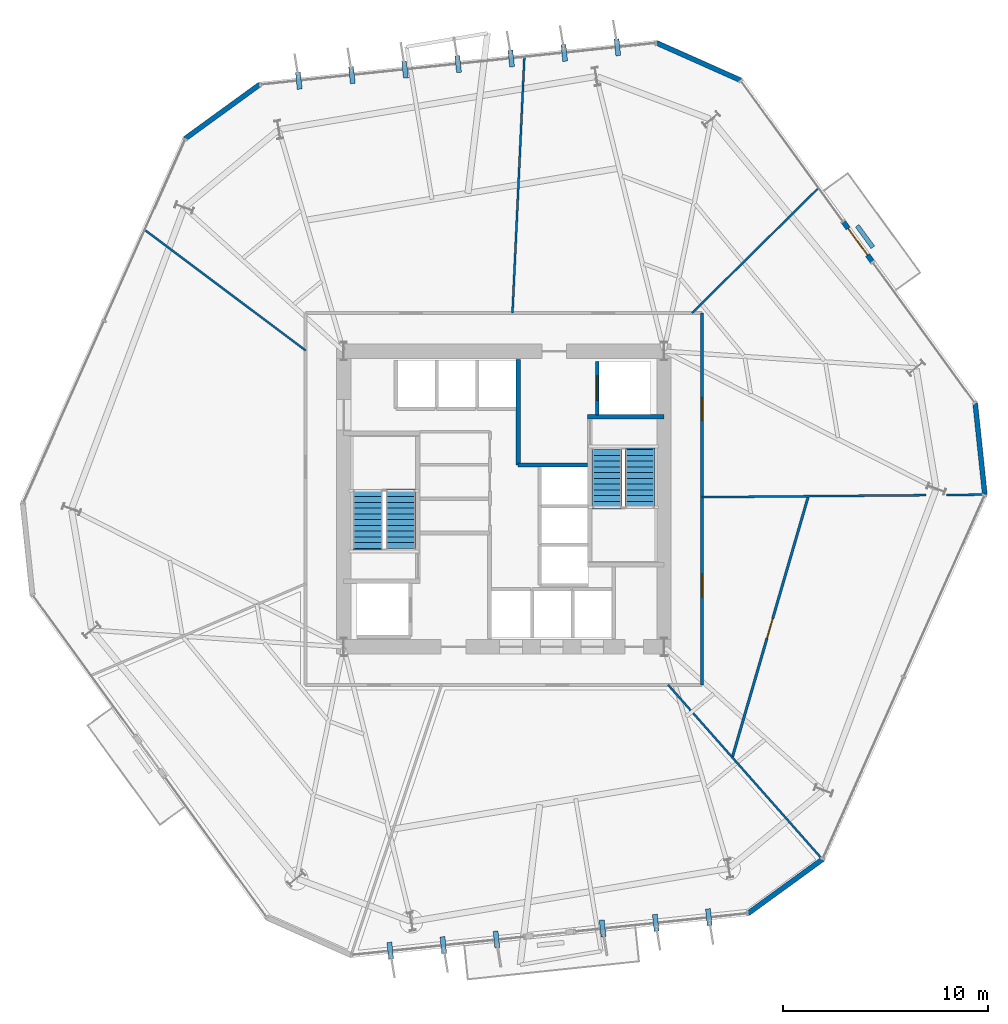
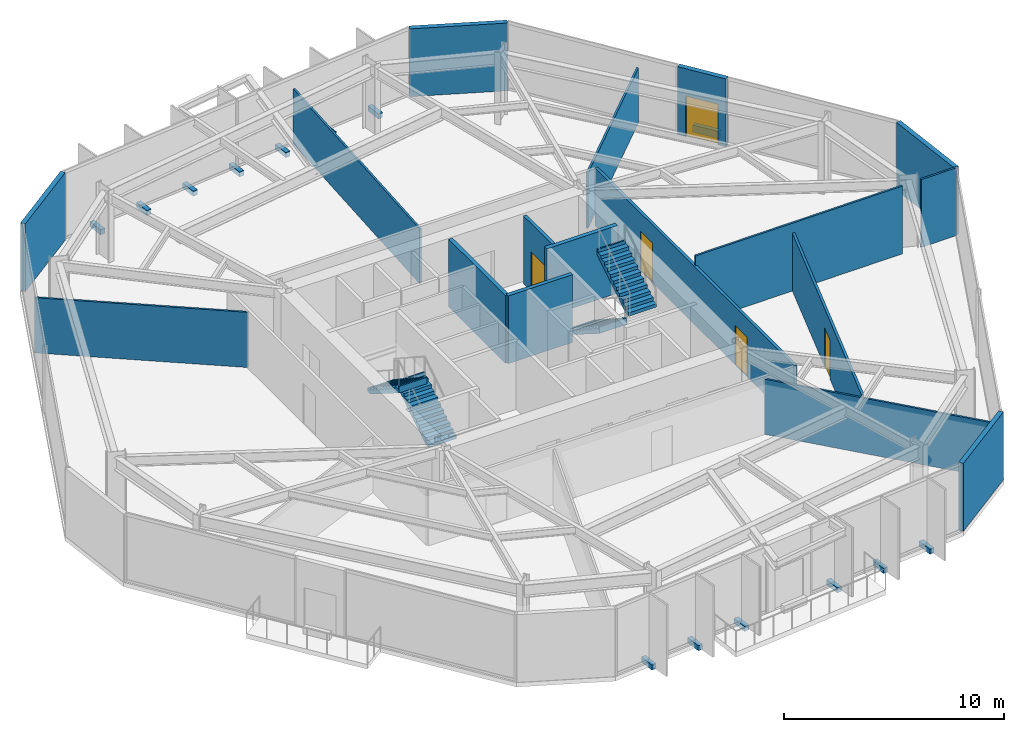
# One storey, part 8 of 11: 18 walls, 13 discrete accessories, 5 doors, 4 stair flights, 5 openings, 2 elements without a shape of their own.
"""IFC4 building model written with IfcOpenShell, lengths in metres."""

from ifc_helpers import new_model, si_unit, direction, frame, frame_2d, origin, origin_2d, place, context, subcontext, project, spatial, polyline, rectangle, outline, extrude, material, layer, layer_set, type_object, element, fill, aggregate, save


model = new_model("IFC4")

# Units and contexts
model_context = context("Model", 3, precision=1e-05, world=origin(), true_north=direction((0.0, 1.0)))
body_context = subcontext(model_context, "Body", "Model", "MODEL_VIEW")
ifc_project = project(units=[si_unit("LENGTHUNIT", "METRE"), si_unit("AREAUNIT", "SQUARE_METRE"), si_unit("VOLUMEUNIT", "CUBIC_METRE"), si_unit("PLANEANGLEUNIT", "RADIAN"), si_unit("MASSUNIT", "GRAM", prefix="KILO")], contexts=[model_context])

# Site, building, storey
site_placement = place(None, origin())
site = spatial("IfcSite", under=ifc_project, at=site_placement, CompositionType="ELEMENT")
building_placement = place(site_placement, origin())
building = spatial("IfcBuilding", under=site, at=building_placement, Name="Kranzbogen Civic Tower", CompositionType="ELEMENT")
storey_placement = place(building_placement, frame((0.0, 0.0, 44.0)))
storey = spatial("IfcBuildingStorey", under=building, at=storey_placement, Name="L10", CompositionType="ELEMENT", Elevation=44.0)

# Wall, openings, doors
ifc_material_1 = material(Name="Double-Stud Acoustic Gypsum Partition")
ifc_layer_1 = layer(ifc_material_1, 0.14990234375, Name="Double-Stud Acoustic Gypsum Partition")
ifc_layer_set_1 = layer_set([ifc_layer_1], Name="Double-Stud Acoustic Gypsum Partition")
wall_type_1 = type_object("IfcWallType", Name="Acoustic Corridor and Clinical Partition 150 mm", PredefinedType="PARTITIONING", material=ifc_layer_set_1)
wall_1_placement = place(storey_placement, frame((34.64990234375, 34.050048828125, 0.0), z_axis=(0.0, 0.0, 1.0), x_axis=(0.0, -1.0, 0.0)))
wall_1 = element("IfcWall", 1, at=wall_1_placement, inside=storey, type_object=wall_type_1, Name="L10 corridor partition 02", PredefinedType="PARTITIONING", context=body_context, shape_type="SweptSolid", body=[
    extrude(rectangle(XDim=18.10009765625, YDim=0.14990234375, at=frame_2d((9.050048828125, 0.0))), origin(), (0.0, 0.0, 1.0), 3.2099609375),
])
opening_1_placement = place(wall_1_placement, frame((12.7080078125, 0.0, 0.0)))
opening_1 = element("IfcOpeningElement", 2, at=opening_1_placement, cuts=wall_1, Name="Opening D-COR60", PredefinedType="OPENING", context=body_context, shape_type="SweptSolid", body=[
    extrude(rectangle(XDim=1.10009765625, YDim=2.199951171875, at=frame_2d((0.550048828125, 1.10009765625))), frame((0.0, 0.0849609375, 0.0), z_axis=(0.0, -1.0, 0.0), x_axis=(1.0, 0.0, 0.0)), (0.0, 0.0, 1.0), 0.169921875),
])
opening_2_placement = place(wall_1_placement, frame((4.114013671875, 0.0, 0.0)))
opening_2 = element("IfcOpeningElement", 3, at=opening_2_placement, cuts=wall_1, Name="Opening D-COR60", PredefinedType="OPENING", context=body_context, shape_type="SweptSolid", body=[
    extrude(rectangle(XDim=1.10009765625, YDim=2.199951171875, at=frame_2d((0.550048828125, 1.10009765625))), frame((0.0, 0.0849609375, 0.0), z_axis=(0.0, -1.0, 0.0), x_axis=(1.0, 0.0, 0.0)), (0.0, 0.0, 1.0), 0.169921875),
])
ifc_material_2 = material(Name="Oak Timber and Fire Core", Category="wood")
door_type_1 = type_object("IfcDoorType", Name="Corridor Acoustic Fire Door 1100x2200", OperationType="NOTDEFINED", PredefinedType="DOOR", material=ifc_material_2)
door_1_placement = place(opening_1_placement, origin())
door_1 = element("IfcDoor", 4, at=door_1_placement, inside=storey, type_object=door_type_1, Name="L10 Legal Counsel Office door", OperationType="SINGLE_SWING_RIGHT", OverallHeight=2.199951171875, OverallWidth=1.10009765625, PredefinedType="DOOR", context=body_context, shape_type="SweptSolid", body=[
    extrude(rectangle(XDim=1.10009765625, YDim=2.199951171875, at=frame_2d((0.550048828125, 1.10009765625))), frame((0.0, 0.02490234375, 0.0), z_axis=(0.0, -1.0, 0.0), x_axis=(1.0, 0.0, 0.0)), (0.0, 0.0, 1.0), 0.050048828125),
])
fill(opening_1, door_1)
door_2_placement = place(opening_2_placement, origin())
door_2 = element("IfcDoor", 5, at=door_2_placement, inside=storey, type_object=door_type_1, Name="L10 Executive Research Study door", OperationType="SINGLE_SWING_RIGHT", OverallHeight=2.199951171875, OverallWidth=1.10009765625, PredefinedType="DOOR", context=body_context, shape_type="SweptSolid", body=[
    extrude(rectangle(XDim=1.10009765625, YDim=2.199951171875, at=frame_2d((0.550048828125, 1.10009765625))), frame((0.0, 0.02490234375, 0.0), z_axis=(0.0, -1.0, 0.0), x_axis=(1.0, 0.0, 0.0)), (0.0, 0.0, 1.0), 0.050048828125),
])
fill(opening_2, door_2)

# Wall, opening, door
ifc_material_3 = material(Name="Insulated Metal-Stud Gypsum Partition")
ifc_layer_2 = layer(ifc_material_3, 0.125, Name="Insulated Metal-Stud Gypsum Partition")
ifc_layer_set_2 = layer_set([ifc_layer_2], Name="Insulated Metal-Stud Gypsum Partition")
wall_type_2 = type_object("IfcWallType", Name="Acoustic Inter-Room Partition 125 mm", PredefinedType="PARTITIONING", material=ifc_layer_set_2)
wall_2_placement = place(storey_placement, frame((36.131103515625, 12.431884765625, 0.0), z_axis=(0.0, 0.0, 1.0), x_axis=(0.279451559727, 0.960159791788, 0.0)))
wall_2 = element("IfcWall", 6, at=wall_2_placement, inside=storey, type_object=wall_type_2, Name="L10 suite chord partition 01", PredefinedType="PARTITIONING", context=body_context, shape_type="SweptSolid", body=[
    extrude(rectangle(XDim=13.214599609375, YDim=0.125, at=frame_2d((6.607421875, 0.0))), origin(), (0.0, 0.0, 1.0), 3.2099609375),
])
opening_3_placement = place(wall_2_placement, frame((6.01806640625, 0.0, 0.0)))
opening_3 = element("IfcOpeningElement", 7, at=opening_3_placement, cuts=wall_2, Name="Opening D-OFC10", PredefinedType="OPENING", context=body_context, shape_type="SweptSolid", body=[
    extrude(rectangle(XDim=1.0, YDim=2.14990234375, at=frame_2d((0.5, 1.074951171875))), frame((0.0, 0.072509765625, 0.0), z_axis=(0.0, -1.0, 0.0), x_axis=(1.0, 0.0, 0.0)), (0.0, 0.0, 1.0), 0.14501953125),
])
ifc_material_4 = material(Name="Oak Timber Veneer", Category="wood")
door_type_2 = type_object("IfcDoorType", Name="Standard Office Acoustic Door 1000x2150", OperationType="NOTDEFINED", PredefinedType="DOOR", material=ifc_material_4)
door_3_placement = place(opening_3_placement, origin())
door_3 = element("IfcDoor", 8, at=door_3_placement, inside=storey, type_object=door_type_2, Name="L10 Delegates Sitting Lounge door", OperationType="SINGLE_SWING_LEFT", OverallHeight=2.14990234375, OverallWidth=1.0, PredefinedType="DOOR", context=body_context, shape_type="SweptSolid", body=[
    extrude(rectangle(XDim=1.0, YDim=2.14990234375, at=frame_2d((0.5, 1.074951171875))), frame((0.0, 0.02490234375, 0.0), z_axis=(0.0, -1.0, 0.0), x_axis=(1.0, 0.0, 0.0)), (0.0, 0.0, 1.0), 0.050048828125),
])
fill(opening_3, door_3)

# Walls
ifc_material_5 = material(Name="Architectural Precast Terracotta Concrete C40/50", Category="masonry")
ifc_layer_3 = layer(ifc_material_5, 0.219970703125, Name="Architectural Precast Terracotta Concrete C40/50")
ifc_layer_set_3 = layer_set([ifc_layer_3], Name="Architectural Precast Terracotta Concrete C40/50")
wall_type_3 = type_object("IfcWallType", Name="Architectural Tree Planter Kerb Wall 220 mm", PredefinedType="USERDEFINED", material=ifc_layer_set_3)
wall_3_placement = place(storey_placement, frame((42.971923828125, 37.25390625, 0.0), z_axis=(0.0, 0.0, 1.0), x_axis=(-0.587579763197, 0.809166251076, 0.0)))
element("IfcWall", 9, at=wall_3_placement, inside=storey, type_object=wall_type_3, Name="L10 landscaped tree balcony planter L10-TB2", ObjectType="PLANTER_WALL", PredefinedType="USERDEFINED", context=body_context, shape_type="SweptSolid", body=[
    extrude(rectangle(XDim=1.300048828125, YDim=0.219970703125, at=frame_2d((0.64990234375, 0.0))), origin(), (0.0, 0.0, 1.0), 0.39990234375),
])
ifc_material_6 = material(Name="Concrete C45/55", Category="concrete")
ifc_layer_4 = layer(ifc_material_6, 0.219970703125, Name="Concrete C45/55")
ifc_layer_set_4 = layer_set([ifc_layer_4], Name="Concrete C45/55")
wall_type_4 = type_object("IfcWallType", Name="Core Internal Stair Structural Wall 220 mm", PredefinedType="SOLIDWALL", material=ifc_layer_set_4)
wall_4_placement = place(storey_placement, frame((29.080078125, 29.010009765625, 0.0), z_axis=(0.0, 0.0, 1.0), x_axis=(1.0, 0.0, 0.0)))
element("IfcWall", 10, at=wall_4_placement, inside=storey, type_object=wall_type_4, Name="L10 ST-T2 North structural stair wall", PredefinedType="SOLIDWALL", context=body_context, shape_type="SweptSolid", body=[
    extrude(rectangle(XDim=3.719970703125, YDim=0.219970703125, at=frame_2d((1.85986328125, 0.0))), origin(), (0.0, 0.0, 1.0), 3.760009765625),
])
ifc_material_7 = material(Name="Demountable Aluminium and Gypsum Partition", Category="aluminium")
ifc_layer_5 = layer(ifc_material_7, 0.10009765625, Name="Demountable Aluminium and Gypsum Partition")
ifc_layer_set_5 = layer_set([ifc_layer_5], Name="Demountable Aluminium and Gypsum Partition")
wall_type_5 = type_object("IfcWallType", Name="Demountable Office Partition 100 mm", PredefinedType="MOVABLE", material=ifc_layer_set_5)
wall_5_placement = place(storey_placement, frame((34.156982421875, 34.050048828125, 0.0), z_axis=(0.0, 0.0, 1.0), x_axis=(0.711265132762, 0.702923830096, 0.0)))
element("IfcWall", 11, at=wall_5_placement, inside=storey, type_object=wall_type_5, Name="L10 radial room partition 01", PredefinedType="MOVABLE", context=body_context, shape_type="SweptSolid", body=[
    extrude(rectangle(XDim=8.66357421875, YDim=0.10009765625, at=frame_2d((4.331787109375, 0.0))), origin(), (0.0, 0.0, 1.0), 3.06005859375),
])
wall_6_placement = place(storey_placement, frame((25.4208984375, 34.050048828125, 0.0), z_axis=(0.0, 0.0, 1.0), x_axis=(0.046408732595, 0.998922534303, 0.0)))
element("IfcWall", 12, at=wall_6_placement, inside=storey, type_object=wall_type_5, Name="L10 radial room partition 02", PredefinedType="MOVABLE", context=body_context, shape_type="SweptSolid", body=[
    extrude(rectangle(XDim=12.478271484375, YDim=0.10009765625, at=frame_2d((6.2392578125, 0.0))), origin(), (0.0, 0.0, 1.0), 3.050048828125),
])
wall_7_placement = place(storey_placement, frame((15.35009765625, 32.23193359375, 0.0), z_axis=(0.0, 0.0, 1.0), x_axis=(-0.800263515523, 0.599648485134, 0.0)))
element("IfcWall", 13, at=wall_7_placement, inside=storey, type_object=wall_type_5, Name="L10 radial room partition 03", PredefinedType="MOVABLE", context=body_context, shape_type="SweptSolid", body=[
    extrude(rectangle(XDim=9.78076171875, YDim=0.10009765625, at=frame_2d((4.890380859375, 0.0))), origin(), (0.0, 0.0, 1.0), 3.06005859375),
])
wall_8_placement = place(storey_placement, frame((33.0009765625, 15.949951171875, 0.0), z_axis=(0.0, 0.0, 1.0), x_axis=(0.662327291421, -0.749214628153, 0.0)))
element("IfcWall", 14, at=wall_8_placement, inside=storey, type_object=wall_type_5, Name="L10 radial room partition 06", PredefinedType="MOVABLE", context=body_context, shape_type="SweptSolid", body=[
    extrude(rectangle(XDim=11.32373046875, YDim=0.10009765625, at=frame_2d((5.661865234375, 0.0))), origin(), (0.0, 0.0, 1.0), 3.06005859375),
])
wall_9_placement = place(storey_placement, frame((34.64990234375, 25.087890625, 0.0), z_axis=(0.0, 0.0, 1.0), x_axis=(0.999958746777, 0.009083212171, 0.0)))
element("IfcWall", 15, at=wall_9_placement, inside=storey, type_object=wall_type_5, Name="L10 radial room partition 07 part 1", PredefinedType="MOVABLE", context=body_context, shape_type="SweptSolid", body=[
    extrude(rectangle(XDim=10.91259765625, YDim=0.10009765625, at=frame_2d((5.456298828125, 0.0))), origin(), (0.0, 0.0, 1.0), 3.760009765625),
])
wall_10_placement = place(storey_placement, frame((46.552001953125, 25.196044921875, 0.0), z_axis=(0.0, 0.0, 1.0), x_axis=(0.999958593011, 0.009100124363, 0.0)))
element("IfcWall", 16, at=wall_10_placement, inside=storey, type_object=wall_type_5, Name="L10 radial room partition 07 part 2", PredefinedType="MOVABLE", context=body_context, shape_type="SweptSolid", body=[
    extrude(rectangle(XDim=1.85107421875, YDim=0.10009765625, at=frame_2d((0.925537109375, 0.0))), origin(), (0.0, 0.0, 1.0), 3.760009765625),
])
ifc_material_8 = material(Name="Gypsum Fireboard and Concrete Block", Category="concrete")
ifc_layer_6 = layer(ifc_material_8, 0.199951171875, Name="Gypsum Fireboard and Concrete Block")
ifc_layer_set_6 = layer_set([ifc_layer_6], Name="Gypsum Fireboard and Concrete Block")
wall_type_6 = type_object("IfcWallType", Name="Fire-Rated Exit Passageway and Stair Wall 200 mm", PredefinedType="PARTITIONING", material=ifc_layer_set_6)
wall_11_placement = place(storey_placement, frame((25.699951171875, 26.64990234375, 0.0), z_axis=(0.0, 0.0, 1.0), x_axis=(0.0, 1.0, 0.0)))
element("IfcWall", 17, at=wall_11_placement, inside=storey, type_object=wall_type_6, Name="L10 East firefighting lobby West wall", PredefinedType="PARTITIONING", context=body_context, shape_type="SweptSolid", body=[
    extrude(rectangle(XDim=5.150146484375, YDim=0.199951171875, at=frame_2d((2.5751953125, 0.0))), origin(), (0.0, 0.0, 1.0), 3.760009765625),
])
wall_12_placement = place(storey_placement, frame((25.699951171875, 26.64990234375, 0.0), z_axis=(0.0, 0.0, 1.0), x_axis=(1.0, 0.0, 0.0)))
element("IfcWall", 18, at=wall_12_placement, inside=storey, type_object=wall_type_6, Name="L10 East firefighting lobby South wall", PredefinedType="PARTITIONING", context=body_context, shape_type="SweptSolid", body=[
    extrude(rectangle(XDim=3.380126953125, YDim=0.199951171875, at=frame_2d((1.68994140625, 0.0))), origin(), (0.0, 0.0, 1.0), 3.760009765625),
])

# Wall, opening, door
ifc_material_9 = material(Name="Gypsum Fireboard Shaftliner")
ifc_layer_7 = layer(ifc_material_9, 0.175048828125, Name="Gypsum Fireboard Shaftliner")
ifc_layer_set_7 = layer_set([ifc_layer_7], Name="Gypsum Fireboard Shaftliner")
wall_type_7 = type_object("IfcWallType", Name="Fire-Rated Lift and Service Shaft Wall 175 mm", PredefinedType="PARTITIONING", material=ifc_layer_set_7)
wall_13_placement = place(storey_placement, frame((29.550048828125, 29.10009765625, 0.0), z_axis=(0.0, 0.0, 1.0), x_axis=(0.0, 1.0, 0.0)))
wall_13 = element("IfcWall", 19, at=wall_13_placement, inside=storey, type_object=wall_type_7, Name="L10 lift FF-02 landing wall", PredefinedType="PARTITIONING", context=body_context, shape_type="SweptSolid", body=[
    extrude(rectangle(XDim=2.599853515625, YDim=0.175048828125, at=frame_2d((1.2998046875, 0.0))), origin(), (0.0, 0.0, 1.0), 3.760009765625),
])
opening_4_placement = place(wall_13_placement, frame((0.699951171875, 0.0, 0.0)))
opening_4 = element("IfcOpeningElement", 20, at=opening_4_placement, cuts=wall_13, Name="Opening LD-FF-02", PredefinedType="OPENING", context=body_context, shape_type="SweptSolid", body=[
    extrude(rectangle(XDim=1.199951171875, YDim=2.199951171875, at=frame_2d((0.60009765625, 1.10009765625))), frame((0.0, 0.09765625, 0.0), z_axis=(0.0, -1.0, 0.0), x_axis=(1.0, 0.0, 0.0)), (0.0, 0.0, 1.0), 0.195068359375),
])
ifc_material_10 = material(Name="Pale Anodised Aluminium", Category="aluminium")
door_type_3 = type_object("IfcDoorType", Name="Firefighting and Stretcher Lift Sliding Landing Door 1200x2200", OperationType="DOUBLE_DOOR_SLIDING", PredefinedType="DOOR", material=ifc_material_10)
door_4_placement = place(opening_4_placement, origin())
door_4 = element("IfcDoor", 21, at=door_4_placement, inside=storey, type_object=door_type_3, Name="L10 lift FF-02 sliding landing door", OperationType="DOUBLE_DOOR_SLIDING", OverallHeight=2.199951171875, OverallWidth=1.199951171875, PredefinedType="DOOR", context=body_context, shape_type="SweptSolid", body=[
    extrude(rectangle(XDim=1.199951171875, YDim=2.199951171875, at=frame_2d((0.60009765625, 1.10009765625))), frame((0.0, 0.02490234375, 0.0), z_axis=(0.0, -1.0, 0.0), x_axis=(1.0, 0.0, 0.0)), (0.0, 0.0, 1.0), 0.050048828125),
])
fill(opening_4, door_4)

ifc_layer_8 = layer(ifc_material_10, 0.239990234375, Name="Pale Anodised Aluminium")
ifc_layer_set_8 = layer_set([ifc_layer_8], Name="Pale Anodised Aluminium")
wall_type_8 = type_object("IfcWallType", Name="Insulated Aluminium Facade Portal Wall 240 mm", PredefinedType="STANDARD", material=ifc_layer_set_8)
wall_14_placement = place(storey_placement, frame((42.945068359375, 36.554931640625, 0.0), z_axis=(0.0, 0.0, 1.0), x_axis=(-0.587808827466, 0.808999865484, 0.0)))
wall_14 = element("IfcWall", 22, at=wall_14_placement, inside=storey, type_object=wall_type_8, Name="L10 exterior entrance portal wall 1", PredefinedType="STANDARD", context=body_context, shape_type="SweptSolid", body=[
    extrude(rectangle(XDim=2.400634765625, YDim=0.239990234375, at=frame_2d((1.2001953125, 0.0))), origin(), (0.0, 0.0, 1.0), 3.760009765625),
])
opening_5_placement = place(wall_14_placement, frame((0.39990234375, 0.0, 0.0)))
opening_5 = element("IfcOpeningElement", 23, at=opening_5_placement, cuts=wall_14, Name="Opening D-TER", PredefinedType="OPENING", context=body_context, shape_type="SweptSolid", body=[
    extrude(rectangle(XDim=1.60009765625, YDim=2.25, at=frame_2d((0.800048828125, 1.125))), frame((0.0, 0.1298828125, 0.0), z_axis=(0.0, -1.0, 0.0), x_axis=(1.0, 0.0, 0.0)), (0.0, 0.0, 1.0), 0.260009765625),
])
ifc_material_11 = material(Name="Anodised Bronze and Triple Glass", Category="glass")
door_type_4 = type_object("IfcDoorType", Name="Glazed Terrace and Balcony Double Door 1600x2250", OperationType="DOUBLE_DOOR_SINGLE_SWING", PredefinedType="DOOR", material=ifc_material_11)
door_5_placement = place(opening_5_placement, frame((1.60009765625, 0.0, 0.0), z_axis=(0.0, 0.0, 1.0), x_axis=(-1.0, 0.0, 0.0)))
door_5 = element("IfcDoor", 24, at=door_5_placement, inside=storey, type_object=door_type_4, Name="L10 tree balcony access door L10-TB2", OperationType="DOUBLE_DOOR_SINGLE_SWING", OverallHeight=2.25, OverallWidth=1.60009765625, PredefinedType="DOOR", context=body_context, shape_type="SweptSolid", body=[
    extrude(rectangle(XDim=1.60009765625, YDim=2.25, at=frame_2d((0.800048828125, 1.125))), frame((0.0, 0.02490234375, 0.0), z_axis=(0.0, -1.0, 0.0), x_axis=(1.0, 0.0, 0.0)), (0.0, 0.0, 1.0), 0.050048828125),
])
fill(opening_5, door_5)

# Walls
wall_15_placement = place(storey_placement, frame((36.52587890625, 45.389892578125, 0.0), z_axis=(0.0, 0.0, 1.0), x_axis=(-0.91355250122, 0.406720822573, 0.0)))
element("IfcWall", 25, at=wall_15_placement, inside=storey, type_object=wall_type_8, Name="L10 chamfered corner facade spandrel 1", PredefinedType="STANDARD", context=body_context, shape_type="SweptSolid", body=[
    extrude(rectangle(XDim=4.47265625, YDim=0.239990234375, at=frame_2d((2.236328125, 0.0))), origin(), (0.0, 0.0, 1.0), 3.760009765625),
])
for number, where, z_axis, x_axis, name in (
    (26, (13.10498046875, 45.177001953125, 0.0), (0.0, 0.0, 1.0), (-0.80905696026, -0.587730240038, 0.0), "L10 chamfered corner facade spandrel 2"),
    (27, (36.89501953125, 4.822998046875, 0.0), (0.0, 0.0, 1.0), (0.80905696026, 0.587730240038, 0.0), "L10 chamfered corner facade spandrel 5"),
):
    element("IfcWall", number, at=place(storey_placement, frame(where, z_axis=z_axis, x_axis=x_axis)), inside=storey, type_object=wall_type_8, Name=name, PredefinedType="STANDARD", context=body_context, shape_type="SweptSolid", body=[
        extrude(rectangle(XDim=4.472900390625, YDim=0.239990234375, at=frame_2d((2.236328125, 0.0))), origin(), (0.0, 0.0, 1.0), 3.760009765625),
    ])
wall_16_placement = place(storey_placement, frame((48.422119140625, 25.212890625, 0.0), z_axis=(0.0, 0.0, 1.0), x_axis=(-0.104642162151, 0.994509938563, 0.0)))
element("IfcWall", 28, at=wall_16_placement, inside=storey, type_object=wall_type_8, Name="L10 chamfered corner facade spandrel 6", PredefinedType="STANDARD", context=body_context, shape_type="SweptSolid", body=[
    extrude(rectangle(XDim=4.47265625, YDim=0.239990234375, at=frame_2d((2.236328125, 0.0))), origin(), (0.0, 0.0, 1.0), 3.760009765625),
])

# Stair, stair flights
ifc_material_12 = material(Name="Precast concrete C40/50", Category="concrete")
stair_type_1 = type_object("IfcStairType", Name="Tower Core Pressurized Dogleg Stair 1450", PredefinedType="HALF_TURN_STAIR", material=ifc_material_12)
stair_1_placement = place(storey_placement, origin())
stair_1 = element("IfcStair", 29, at=stair_1_placement, inside=storey, type_object=stair_type_1, Name="L10 Tower Core Pressurized Stair 1", PredefinedType="HALF_TURN_STAIR")
stair_flight_type = type_object("IfcStairFlightType", Name="Precast Concrete Stair Flight R180", PredefinedType="STRAIGHT", material=ifc_material_12)
stair_flight_1_placement = place(storey_placement, frame((19.97509765625, 22.60009765625, 0.0), z_axis=(0.0, 0.0, 1.0), x_axis=(0.0, 1.0, 0.0)))
stair_flight_1 = element("IfcStairFlight", 30, at=stair_flight_1_placement, type_object=stair_flight_type, Name="ST-T1 flight 1", NumberOfRisers=11, NumberOfTreads=10, PredefinedType="STRAIGHT", RiserHeight=0.181818182, TreadLength=0.28, context=body_context, shape_type="SweptSolid", body=[
    extrude(outline(polyline([(0.0, 0.0), (0.0, 0.181884765625), (0.280029296875, 0.181884765625), (0.280029296875, 0.363525390625), (0.56005859375, 0.363525390625), (0.56005859375, 0.54541015625), (0.840087890625, 0.54541015625), (0.840087890625, 0.727294921875), (1.1201171875, 0.727294921875), (1.1201171875, 0.9091796875), (1.39990234375, 0.9091796875), (1.39990234375, 1.0908203125), (1.679931640625, 1.0908203125), (1.679931640625, 1.272705078125), (1.9599609375, 1.272705078125), (1.9599609375, 1.45458984375), (2.239990234375, 1.45458984375), (2.239990234375, 1.636474609375), (2.52001953125, 1.636474609375), (2.52001953125, 1.818115234375), (2.800048828125, 1.818115234375), (2.800048828125, 2.0), (2.880126953125, 2.0), (2.880126953125, 1.639404296875), (0.275146484375, 0.0), (0.0, 0.0)])), frame((0.0, 0.72509765625, 0.0), z_axis=(0.0, -1.0, 0.0), x_axis=(1.0, 0.0, 0.0)), (0.0, 0.0, 1.0), 1.449951171875),
])
stair_flight_2_placement = place(storey_placement, frame((18.375, 25.39990234375, 2.0), z_axis=(0.0, 0.0, 1.0), x_axis=(0.0, -1.0, 0.0)))
stair_flight_2 = element("IfcStairFlight", 31, at=stair_flight_2_placement, type_object=stair_flight_type, Name="ST-T1 flight 2", NumberOfRisers=11, NumberOfTreads=10, PredefinedType="STRAIGHT", RiserHeight=0.181818182, TreadLength=0.28, context=body_context, shape_type="SweptSolid", body=[
    extrude(outline(polyline([(0.0, 0.0), (0.0, 0.181884765625), (0.280029296875, 0.181884765625), (0.280029296875, 0.363525390625), (0.56005859375, 0.363525390625), (0.56005859375, 0.54541015625), (0.840087890625, 0.54541015625), (0.840087890625, 0.727294921875), (1.1201171875, 0.727294921875), (1.1201171875, 0.9091796875), (1.39990234375, 0.9091796875), (1.39990234375, 1.0908203125), (1.679931640625, 1.0908203125), (1.679931640625, 1.272705078125), (1.9599609375, 1.272705078125), (1.9599609375, 1.45458984375), (2.239990234375, 1.45458984375), (2.239990234375, 1.636474609375), (2.52001953125, 1.636474609375), (2.52001953125, 1.818115234375), (2.800048828125, 1.818115234375), (2.800048828125, 2.0), (2.880126953125, 2.0), (2.880126953125, 1.639404296875), (0.275146484375, 0.0), (0.0, 0.0)])), frame((0.0, 0.72509765625, 0.0), z_axis=(0.0, -1.0, 0.0), x_axis=(1.0, 0.0, 0.0)), (0.0, 0.0, 1.0), 1.449951171875),
])
aggregate(stair_1, [stair_flight_1, stair_flight_2])

stair_type_2 = type_object("IfcStairType", Name="Tower Core Secondary Dogleg Stair 1450", PredefinedType="HALF_TURN_STAIR", material=ifc_material_12)
stair_2_placement = place(storey_placement, origin())
stair_2 = element("IfcStair", 32, at=stair_2_placement, inside=storey, type_object=stair_type_2, Name="L10 Tower Core Pressurized Stair 2", PredefinedType="HALF_TURN_STAIR")
stair_flight_3_placement = place(storey_placement, frame((30.02490234375, 27.39990234375, 0.0), z_axis=(0.0, 0.0, 1.0), x_axis=(0.0, -1.0, 0.0)))
stair_flight_3 = element("IfcStairFlight", 33, at=stair_flight_3_placement, type_object=stair_flight_type, Name="ST-T2 flight 1", NumberOfRisers=11, NumberOfTreads=10, PredefinedType="STRAIGHT", RiserHeight=0.181818182, TreadLength=0.28, context=body_context, shape_type="SweptSolid", body=[
    extrude(outline(polyline([(0.0, 0.0), (0.0, 0.181884765625), (0.280029296875, 0.181884765625), (0.280029296875, 0.363525390625), (0.56005859375, 0.363525390625), (0.56005859375, 0.54541015625), (0.840087890625, 0.54541015625), (0.840087890625, 0.727294921875), (1.1201171875, 0.727294921875), (1.1201171875, 0.9091796875), (1.39990234375, 0.9091796875), (1.39990234375, 1.0908203125), (1.679931640625, 1.0908203125), (1.679931640625, 1.272705078125), (1.9599609375, 1.272705078125), (1.9599609375, 1.45458984375), (2.239990234375, 1.45458984375), (2.239990234375, 1.636474609375), (2.52001953125, 1.636474609375), (2.52001953125, 1.818115234375), (2.800048828125, 1.818115234375), (2.800048828125, 2.0), (2.880126953125, 2.0), (2.880126953125, 1.639404296875), (0.275146484375, 0.0), (0.0, 0.0)])), frame((0.0, 0.72509765625, 0.0), z_axis=(0.0, -1.0, 0.0), x_axis=(1.0, 0.0, 0.0)), (0.0, 0.0, 1.0), 1.449951171875),
])
stair_flight_4_placement = place(storey_placement, frame((31.625, 24.60009765625, 2.0), z_axis=(0.0, 0.0, 1.0), x_axis=(0.0, 1.0, 0.0)))
stair_flight_4 = element("IfcStairFlight", 34, at=stair_flight_4_placement, type_object=stair_flight_type, Name="ST-T2 flight 2", NumberOfRisers=11, NumberOfTreads=10, PredefinedType="STRAIGHT", RiserHeight=0.181818182, TreadLength=0.28, context=body_context, shape_type="SweptSolid", body=[
    extrude(outline(polyline([(0.0, 0.0), (0.0, 0.181884765625), (0.280029296875, 0.181884765625), (0.280029296875, 0.363525390625), (0.56005859375, 0.363525390625), (0.56005859375, 0.54541015625), (0.840087890625, 0.54541015625), (0.840087890625, 0.727294921875), (1.1201171875, 0.727294921875), (1.1201171875, 0.9091796875), (1.39990234375, 0.9091796875), (1.39990234375, 1.0908203125), (1.679931640625, 1.0908203125), (1.679931640625, 1.272705078125), (1.9599609375, 1.272705078125), (1.9599609375, 1.45458984375), (2.239990234375, 1.45458984375), (2.239990234375, 1.636474609375), (2.52001953125, 1.636474609375), (2.52001953125, 1.818115234375), (2.800048828125, 1.818115234375), (2.800048828125, 2.0), (2.880126953125, 2.0), (2.880126953125, 1.639404296875), (0.275146484375, 0.0), (0.0, 0.0)])), frame((0.0, 0.72509765625, 0.0), z_axis=(0.0, -1.0, 0.0), x_axis=(1.0, 0.0, 0.0)), (0.0, 0.0, 1.0), 1.449951171875),
])
aggregate(stair_2, [stair_flight_3, stair_flight_4])

# Discrete accessories
ifc_material_13 = material(Name="Steel S355", Category="steel")
discrete_accessory_type = type_object("IfcDiscreteAccessoryType", Name="Structural Curtain-Wall Fin Support Bracket", PredefinedType="BRACKET", material=ifc_material_13)
for number, where, z_axis, x_axis, name in (
    (35, (30.531005859375, 46.99609375, -0.25), (0.0, 0.0, 1.0), (-0.104528463268, 0.994521895368, 0.0), "L10 facade fin support bracket F2-1"),
    (36, (27.945068359375, 46.72412109375, -0.25), (0.0, 0.0, 1.0), (-0.104528463268, 0.994521895368, 0.0), "L10 facade fin support bracket F2-2"),
    (37, (25.35888671875, 46.452880859375, -0.25), (0.0, 0.0, 1.0), (-0.104528463268, 0.994521895368, 0.0), "L10 facade fin support bracket F2-3"),
    (38, (22.77392578125, 46.180908203125, -0.25), (0.0, 0.0, 1.0), (-0.104528463268, 0.994521895368, 0.0), "L10 facade fin support bracket F2-4"),
    (39, (20.18798828125, 45.908935546875, -0.25), (0.0, 0.0, 1.0), (-0.104528463268, 0.994521895368, 0.0), "L10 facade fin support bracket F2-5"),
    (40, (17.60205078125, 45.636962890625, -0.25), (0.0, 0.0, 1.0), (-0.104528463268, 0.994521895368, 0.0), "L10 facade fin support bracket F2-6"),
    (41, (15.01611328125, 45.365966796875, -0.25), (0.0, 0.0, 1.0), (-0.104528463268, 0.994521895368, 0.0), "L10 facade fin support bracket F2-7"),
    (42, (19.468994140625, 3.00390625, -0.25), (0.0, 0.0, 1.0), (0.104528463268, -0.994521895368, 0.0), "L10 facade fin support bracket F5-1"),
    (43, (22.054931640625, 3.27587890625, -0.25), (0.0, 0.0, 1.0), (0.104528463268, -0.994521895368, 0.0), "L10 facade fin support bracket F5-2"),
    (44, (24.64111328125, 3.547119140625, -0.25), (0.0, 0.0, 1.0), (0.104528463268, -0.994521895368, 0.0), "L10 facade fin support bracket F5-3"),
    (45, (29.81201171875, 4.091064453125, -0.25), (0.0, 0.0, 1.0), (0.104528463268, -0.994521895368, 0.0), "L10 facade fin support bracket F5-5"),
    (46, (32.39794921875, 4.363037109375, -0.25), (0.0, 0.0, 1.0), (0.104528463268, -0.994521895368, 0.0), "L10 facade fin support bracket F5-6"),
    (47, (34.98388671875, 4.634033203125, -0.25), (0.0, 0.0, 1.0), (0.104528463268, -0.994521895368, 0.0), "L10 facade fin support bracket F5-7"),
):
    element("IfcDiscreteAccessory", number, at=place(storey_placement, frame(where, z_axis=z_axis, x_axis=x_axis)), inside=storey, type_object=discrete_accessory_type, Name=name, PredefinedType="BRACKET", context=body_context, shape_type="SweptSolid", body=[
        extrude(rectangle(XDim=0.820068359375, YDim=0.239990234375, at=origin_2d()), origin(), (0.0, 0.0, 1.0), 0.280029296875),
    ])

save(model, "model.ifc")
